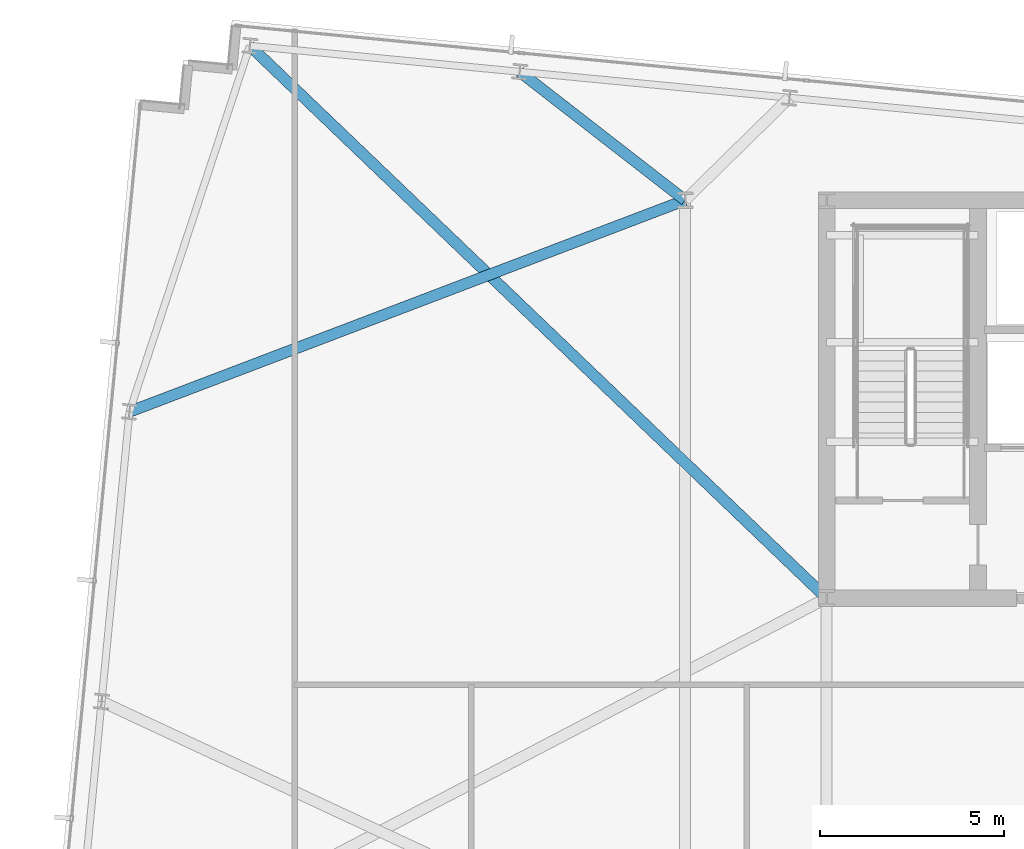
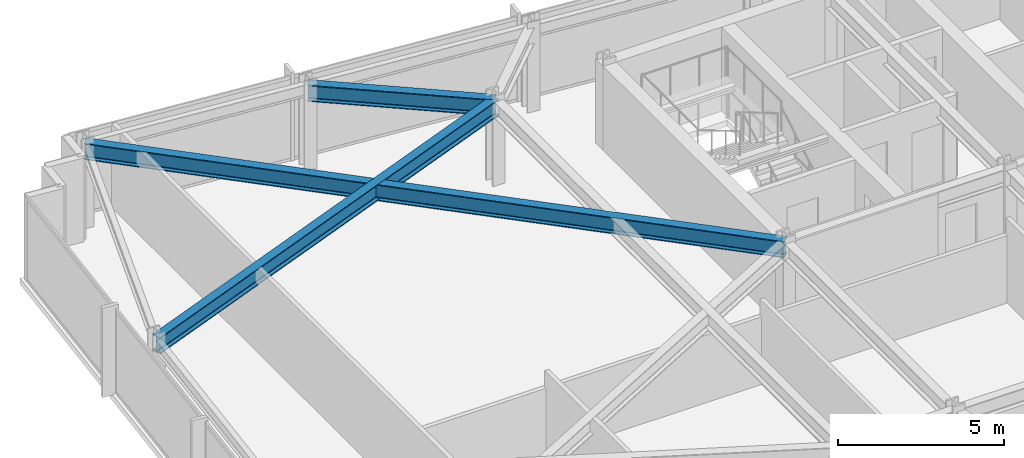
# One storey, part 22 of 37: 3 beams.
"""IFC4 building model written with IfcOpenShell, lengths in metres."""

from ifc_helpers import new_model, si_unit, direction, frame, origin, origin_2d, place, context, subcontext, project, spatial, i_section, extrude, material, material_profile, profile_set, type_object, element, save


model = new_model("IFC4")

# Units and contexts
model_context = context("Model", 3, precision=1e-05, world=origin(), true_north=direction((0.0, 1.0)))
body_context = subcontext(model_context, "Body", "Model", "MODEL_VIEW")
ifc_project = project(units=[si_unit("LENGTHUNIT", "METRE"), si_unit("AREAUNIT", "SQUARE_METRE"), si_unit("VOLUMEUNIT", "CUBIC_METRE"), si_unit("PLANEANGLEUNIT", "RADIAN"), si_unit("MASSUNIT", "GRAM", prefix="KILO")], contexts=[model_context])

# Site, building, storey
site_placement = place(None, origin())
site = spatial("IfcSite", under=ifc_project, at=site_placement, CompositionType="ELEMENT")
building_placement = place(site_placement, origin())
building = spatial("IfcBuilding", under=site, at=building_placement, Name="Yelkora Congress Tower", CompositionType="ELEMENT")
storey_placement = place(building_placement, frame((0.0, 0.0, 168.800048828125)))
storey = spatial("IfcBuildingStorey", under=building, at=storey_placement, Name="L46", CompositionType="ELEMENT", Elevation=168.800048828125)

# Beams
ifc_material = material(Name="Steel S355J2", Category="steel")
ifc_material_profile = material_profile(ifc_material, i_section(OverallWidth=0.300048828125, OverallDepth=0.60009765625, WebThickness=0.015380859375, FlangeThickness=0.030029296875, FilletRadius=0.027099609375, at=origin_2d()), Name="HEB 600")
ifc_profile_set = profile_set([ifc_material_profile], Name="Steel S355J2")
beam_type = type_object("IfcBeamType", Name="BM-GIRD-HEB600", PredefinedType="BEAM", material=ifc_profile_set)
beam_1_placement = place(storey_placement, frame((7.388916015625, 50.390625, 2.780029296875), z_axis=(0.722178809531, -0.691706416816, 0.0), x_axis=(0.691706416816, 0.722178809531, 0.0)))
element("IfcBeam", 1, at=beam_1_placement, inside=storey, type_object=beam_type, Name="L46 Primary Frame Girder N01", PredefinedType="BEAM", context=body_context, shape_type="SweptSolid", body=[
    extrude(i_section(OverallWidth=0.300048828125, OverallDepth=0.60009765625, WebThickness=0.015380859375, FlangeThickness=0.030029296875, FilletRadius=0.027099609375, at=origin_2d()), origin(), (0.0, 0.0, 1.0), 21.672119140625),
])
beam_2_placement = place(storey_placement, frame((14.712158203125, 49.685546875, 2.780029296875), z_axis=(0.789770770989, -0.6134020943, 0.0), x_axis=(0.6134020943, 0.789770770989, 0.0)))
element("IfcBeam", 2, at=beam_2_placement, inside=storey, type_object=beam_type, Name="L46 Primary Frame Girder N02", PredefinedType="BEAM", context=body_context, shape_type="SweptSolid", body=[
    extrude(i_section(OverallWidth=0.300048828125, OverallDepth=0.60009765625, WebThickness=0.015380859375, FlangeThickness=0.030029296875, FilletRadius=0.027099609375, at=origin_2d()), origin(), (0.0, 0.0, 1.0), 5.682373046875),
])
beam_3_placement = place(storey_placement, frame((4.121826171875, 40.4580078125, 2.780029296875), z_axis=(0.934531115392, 0.355881433013, 0.0), x_axis=(-0.355881433013, 0.934531115392, 0.0)))
element("IfcBeam", 3, at=beam_3_placement, inside=storey, type_object=beam_type, Name="L46 Primary Frame Girder W03", PredefinedType="BEAM", context=body_context, shape_type="SweptSolid", body=[
    extrude(i_section(OverallWidth=0.300048828125, OverallDepth=0.60009765625, WebThickness=0.015380859375, FlangeThickness=0.030029296875, FilletRadius=0.027099609375, at=origin_2d()), origin(), (0.0, 0.0, 1.0), 16.134521484375),
])

save(model, "model.ifc")
